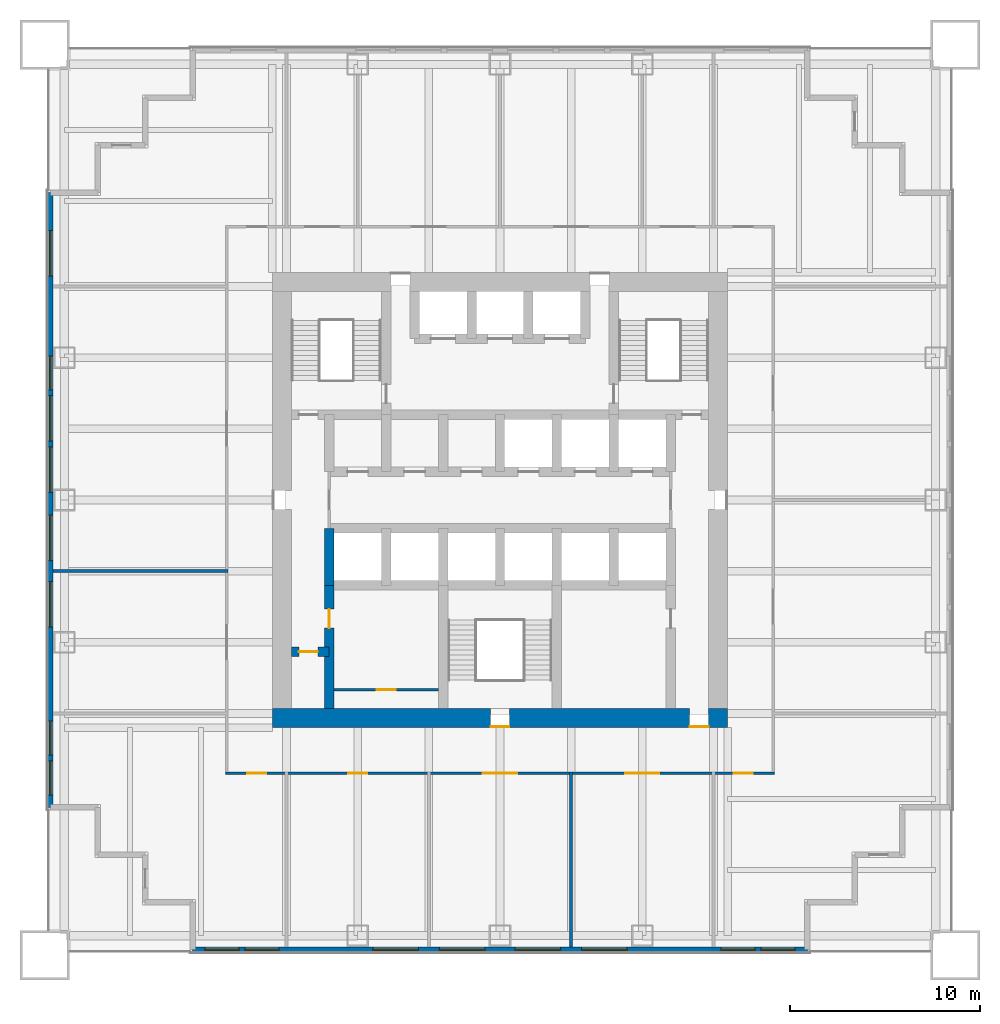
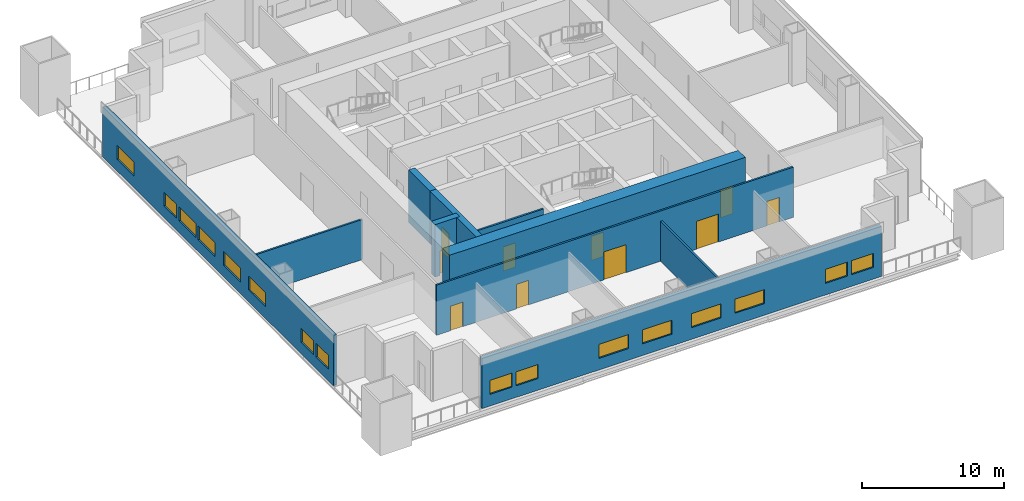
# One storey, part 2 of 6: 16 windows, 10 doors, 10 walls, 26 openings.
"""IFC4 building model written with IfcOpenShell, lengths in metres."""

from ifc_helpers import new_model, si_unit, direction, frame, frame_2d, origin, place, context, subcontext, project, spatial, rectangle, extrude, material, layer, layer_set, type_object, element, fill, save


model = new_model("IFC4")

# Units and contexts
model_context = context("Model", 3, precision=1e-05, world=origin(), true_north=direction((0.0, 1.0)))
body_context = subcontext(model_context, "Body", "Model", "MODEL_VIEW")
ifc_project = project(units=[si_unit("LENGTHUNIT", "METRE"), si_unit("AREAUNIT", "SQUARE_METRE"), si_unit("VOLUMEUNIT", "CUBIC_METRE"), si_unit("PLANEANGLEUNIT", "RADIAN"), si_unit("MASSUNIT", "GRAM", prefix="KILO")], contexts=[model_context])

# Site, building, storey
site_placement = place(None, origin())
site = spatial("IfcSite", under=ifc_project, at=site_placement, CompositionType="ELEMENT")
building_placement = place(site_placement, origin())
building = spatial("IfcBuilding", under=site, at=building_placement, Name="Tarangal Relay Tower", CompositionType="ELEMENT")
storey_placement = place(building_placement, frame((0.0, 0.0, 113.39990234375)))
storey = spatial("IfcBuildingStorey", under=building, at=storey_placement, Name="L22", CompositionType="ELEMENT", Elevation=113.39990234375)

# Wall, opening, door
ifc_material_1 = material(Name="Concrete fc' 60 MPa", Category="concrete")
ifc_layer_1 = layer(ifc_material_1, 0.5)
ifc_layer_set_1 = layer_set([ifc_layer_1], Name="Core inner wall 500")
wall_type_1 = type_object("IfcWallType", Name="Core inner wall 500", PredefinedType="SHEAR", material=ifc_layer_set_1)
wall_1_placement = place(storey_placement, frame((-11.0, -8.0, 0.0), z_axis=(0.0, 0.0, 1.0), x_axis=(1.0, 0.0, 0.0)))
wall_1 = element("IfcWall", 1, at=wall_1_placement, inside=storey, type_object=wall_type_1, Name="Core wall YM8 L22", PredefinedType="SHEAR", context=body_context, shape_type="SweptSolid", body=[
    extrude(rectangle(XDim=2.0, YDim=0.5, at=frame_2d((1.0, 0.0))), origin(), (0.0, 0.0, 1.0), 4.5),
])
opening_1_placement = place(wall_1_placement, frame((0.39990234375, 0.0, 0.0)))
opening_1 = element("IfcOpeningElement", 2, at=opening_1_placement, cuts=wall_1, Name="Opening D1", PredefinedType="OPENING", context=body_context, shape_type="SweptSolid", body=[
    extrude(rectangle(XDim=1.0, YDim=2.10009765625, at=frame_2d((0.5, 1.050048828125))), frame((0.0, 0.260009765625, 0.0), z_axis=(0.0, -1.0, 0.0), x_axis=(1.0, 0.0, 0.0)), (0.0, 0.0, 1.0), 0.52001953125),
])
ifc_material_2 = material(Name="Hardwood door", Category="wood")
door_type_1 = type_object("IfcDoorType", Name="WC door 1000 x 2100", OperationType="SINGLE_SWING_LEFT", PredefinedType="DOOR", material=ifc_material_2)
door_1_placement = place(opening_1_placement, origin())
door_1 = element("IfcDoor", 3, at=door_1_placement, inside=storey, type_object=door_type_1, Name="Accessible WC door L22", OperationType="SINGLE_SWING_LEFT", OverallHeight=2.10009765625, OverallWidth=1.0, PredefinedType="DOOR", context=body_context, shape_type="SweptSolid", body=[
    extrude(rectangle(XDim=1.0, YDim=2.10009765625, at=frame_2d((0.5, 1.050048828125))), frame((0.0, 0.02490234375, 0.0), z_axis=(0.0, -1.0, 0.0), x_axis=(1.0, 0.0, 0.0)), (0.0, 0.0, 1.0), 0.050048828125),
])
fill(opening_1, door_1)

# Wall
wall_2_placement = place(storey_placement, frame((-9.0, -4.5, 0.0), z_axis=(0.0, 0.0, 1.0), x_axis=(0.0, 1.0, 0.0)))
element("IfcWall", 4, at=wall_2_placement, inside=storey, type_object=wall_type_1, Name="Core wall XM9S L22", PredefinedType="SHEAR", context=body_context, shape_type="SweptSolid", body=[
    extrude(rectangle(XDim=3.0, YDim=0.5, at=frame_2d((1.5, 0.0))), origin(), (0.0, 0.0, 1.0), 4.5),
])

# Wall, opening, door
wall_3_placement = place(storey_placement, frame((-9.0, -11.0, 0.0), z_axis=(0.0, 0.0, 1.0), x_axis=(0.0, 1.0, 0.0)))
wall_3 = element("IfcWall", 5, at=wall_3_placement, inside=storey, type_object=wall_type_1, Name="Core wall XM9W L22", PredefinedType="SHEAR", context=body_context, shape_type="SweptSolid", body=[
    extrude(rectangle(XDim=6.5, YDim=0.5, at=frame_2d((3.25, 0.0))), origin(), (0.0, 0.0, 1.0), 4.5),
])
opening_2_placement = place(wall_3_placement, frame((4.25, 0.0, 0.0)))
opening_2 = element("IfcOpeningElement", 6, at=opening_2_placement, cuts=wall_3, Name="Opening D1", PredefinedType="OPENING", context=body_context, shape_type="SweptSolid", body=[
    extrude(rectangle(XDim=1.0, YDim=2.10009765625, at=frame_2d((0.5, 1.050048828125))), frame((0.0, 0.260009765625, 0.0), z_axis=(0.0, -1.0, 0.0), x_axis=(1.0, 0.0, 0.0)), (0.0, 0.0, 1.0), 0.52001953125),
])
door_2_placement = place(opening_2_placement, origin())
door_2 = element("IfcDoor", 7, at=door_2_placement, inside=storey, type_object=door_type_1, Name="Male WC door L22", OperationType="SINGLE_SWING_LEFT", OverallHeight=2.10009765625, OverallWidth=1.0, PredefinedType="DOOR", context=body_context, shape_type="SweptSolid", body=[
    extrude(rectangle(XDim=1.0, YDim=2.10009765625, at=frame_2d((0.5, 1.050048828125))), frame((0.0, 0.02490234375, 0.0), z_axis=(0.0, -1.0, 0.0), x_axis=(1.0, 0.0, 0.0)), (0.0, 0.0, 1.0), 0.050048828125),
])
fill(opening_2, door_2)

# Wall, openings, doors
ifc_layer_2 = layer(ifc_material_1, 1.0)
ifc_layer_set_2 = layer_set([ifc_layer_2], Name="Core wall 1000")
wall_type_2 = type_object("IfcWallType", Name="Core wall 1000", PredefinedType="SHEAR", material=ifc_layer_set_2)
wall_4_placement = place(storey_placement, frame((12.0, -11.5, 0.0), z_axis=(0.0, 0.0, 1.0), x_axis=(-1.0, 0.0, 0.0)))
wall_4 = element("IfcWall", 8, at=wall_4_placement, inside=storey, type_object=wall_type_2, Name="Core wall S L22", PredefinedType="SHEAR", context=body_context, shape_type="SweptSolid", body=[
    extrude(rectangle(XDim=24.0, YDim=1.0, at=frame_2d((12.0, 0.0))), origin(), (0.0, 0.0, 1.0), 4.5),
])
opening_3_placement = place(wall_4_placement, frame((11.5, 0.0, 0.0)))
opening_3 = element("IfcOpeningElement", 9, at=opening_3_placement, cuts=wall_4, Name="Opening FD1", PredefinedType="OPENING", context=body_context, shape_type="SweptSolid", body=[
    extrude(rectangle(XDim=1.0, YDim=2.10009765625, at=frame_2d((0.5, 1.050048828125))), frame((0.0, 0.510009765625, 0.0), z_axis=(0.0, -1.0, 0.0), x_axis=(1.0, 0.0, 0.0)), (0.0, 0.0, 1.0), 1.02001953125),
])
opening_4_placement = place(wall_4_placement, frame((1.0, 0.0, 0.0)))
opening_4 = element("IfcOpeningElement", 10, at=opening_4_placement, cuts=wall_4, Name="Opening FD3", PredefinedType="OPENING", context=body_context, shape_type="SweptSolid", body=[
    extrude(rectangle(XDim=1.0, YDim=2.39990234375, at=frame_2d((0.5, 1.199951171875))), frame((0.0, 0.510009765625, 0.0), z_axis=(0.0, -1.0, 0.0), x_axis=(1.0, 0.0, 0.0)), (0.0, 0.0, 1.0), 1.02001953125),
])
ifc_material_3 = material(Name="Steel door with hardwood frame", Category="steel")
door_type_2 = type_object("IfcDoorType", Name="Fire door 1000 x 2100", OperationType="SINGLE_SWING_LEFT", PredefinedType="DOOR", material=ifc_material_3)
door_3_placement = place(opening_3_placement, origin())
door_3 = element("IfcDoor", 11, at=door_3_placement, inside=storey, type_object=door_type_2, Name="Stair ST-C door L22", OperationType="SINGLE_SWING_LEFT", OverallHeight=2.10009765625, OverallWidth=1.0, PredefinedType="DOOR", context=body_context, shape_type="SweptSolid", body=[
    extrude(rectangle(XDim=1.0, YDim=2.10009765625, at=frame_2d((0.5, 1.050048828125))), frame((0.0, 0.48486328125, 0.0), z_axis=(0.0, -1.0, 0.0), x_axis=(1.0, 0.0, 0.0)), (0.0, 0.0, 1.0), 0.050048828125),
])
fill(opening_3, door_3)
door_type_3 = type_object("IfcDoorType", Name="Fire door 1000 x 2400 core entry", OperationType="SINGLE_SWING_RIGHT", PredefinedType="DOOR", material=ifc_material_3)
door_4_placement = place(opening_4_placement, origin())
door_4 = element("IfcDoor", 12, at=door_4_placement, inside=storey, type_object=door_type_3, Name="Core entry door south east L22", OperationType="SINGLE_SWING_RIGHT", OverallHeight=2.39990234375, OverallWidth=1.0, PredefinedType="DOOR", context=body_context, shape_type="SweptSolid", body=[
    extrude(rectangle(XDim=1.0, YDim=2.39990234375, at=frame_2d((0.5, 1.199951171875))), frame((0.0, 0.48486328125, 0.0), z_axis=(0.0, -1.0, 0.0), x_axis=(1.0, 0.0, 0.0)), (0.0, 0.0, 1.0), 0.050048828125),
])
fill(opening_4, door_4)

# Wall, openings, windows
ifc_material_4 = material(Name="Insulated precast concrete fc' 40 MPa", Category="concrete")
ifc_layer_3 = layer(ifc_material_4, 0.300048828125)
ifc_layer_set_3 = layer_set([ifc_layer_3], Name="Insulated precast concrete fc' 40 MPa")
wall_type_3 = type_object("IfcWallType", Name="Facade wall precast 300", PredefinedType="SOLIDWALL", material=ifc_layer_set_3)
wall_5_placement = place(storey_placement, frame((16.199951171875, -23.699951171875, 0.0), z_axis=(0.0, 0.0, 1.0), x_axis=(-1.0, 0.0, 0.0)))
wall_5 = element("IfcWall", 13, at=wall_5_placement, inside=storey, type_object=wall_type_3, Name="Facade wall S facade L22", PredefinedType="SOLIDWALL", context=body_context, shape_type="SweptSolid", body=[
    extrude(rectangle(XDim=32.39990234375, YDim=0.300048828125, at=frame_2d((16.199951171875, 0.0))), origin(), (0.0, 0.0, 1.0), 4.300048828125),
])
opening_5_placement = place(wall_5_placement, frame((0.64990234375, 0.0, 1.0)))
opening_5 = element("IfcOpeningElement", 14, at=opening_5_placement, cuts=wall_5, Name="Opening WN5", PredefinedType="OPENING", context=body_context, shape_type="SweptSolid", body=[
    extrude(rectangle(XDim=1.800048828125, YDim=1.199951171875, at=frame_2d((0.89990234375, 0.60009765625))), frame((0.0, 0.159912109375, 0.0), z_axis=(0.0, -1.0, 0.0), x_axis=(1.0, 0.0, 0.0)), (0.0, 0.0, 1.0), 0.320068359375),
])
opening_6_placement = place(wall_5_placement, frame((2.75, 0.0, 1.0)))
opening_6 = element("IfcOpeningElement", 15, at=opening_6_placement, cuts=wall_5, Name="Opening WN5", PredefinedType="OPENING", context=body_context, shape_type="SweptSolid", body=[
    extrude(rectangle(XDim=1.800048828125, YDim=1.199951171875, at=frame_2d((0.89990234375, 0.60009765625))), frame((0.0, 0.159912109375, 0.0), z_axis=(0.0, -1.0, 0.0), x_axis=(1.0, 0.0, 0.0)), (0.0, 0.0, 1.0), 0.320068359375),
])
opening_7_placement = place(wall_5_placement, frame((9.5, 0.0, 1.0)))
opening_7 = element("IfcOpeningElement", 16, at=opening_7_placement, cuts=wall_5, Name="Opening WN1", PredefinedType="OPENING", context=body_context, shape_type="SweptSolid", body=[
    extrude(rectangle(XDim=2.39990234375, YDim=1.199951171875, at=frame_2d((1.199951171875, 0.60009765625))), frame((0.0, 0.159912109375, 0.0), z_axis=(0.0, -1.0, 0.0), x_axis=(1.0, 0.0, 0.0)), (0.0, 0.0, 1.0), 0.320068359375),
])
opening_8_placement = place(wall_5_placement, frame((13.0, 0.0, 1.0)))
opening_8 = element("IfcOpeningElement", 17, at=opening_8_placement, cuts=wall_5, Name="Opening WN1", PredefinedType="OPENING", context=body_context, shape_type="SweptSolid", body=[
    extrude(rectangle(XDim=2.39990234375, YDim=1.199951171875, at=frame_2d((1.199951171875, 0.60009765625))), frame((0.0, 0.159912109375, 0.0), z_axis=(0.0, -1.0, 0.0), x_axis=(1.0, 0.0, 0.0)), (0.0, 0.0, 1.0), 0.320068359375),
])
opening_9_placement = place(wall_5_placement, frame((17.0, 0.0, 1.0)))
opening_9 = element("IfcOpeningElement", 18, at=opening_9_placement, cuts=wall_5, Name="Opening WN1", PredefinedType="OPENING", context=body_context, shape_type="SweptSolid", body=[
    extrude(rectangle(XDim=2.39990234375, YDim=1.199951171875, at=frame_2d((1.199951171875, 0.60009765625))), frame((0.0, 0.159912109375, 0.0), z_axis=(0.0, -1.0, 0.0), x_axis=(1.0, 0.0, 0.0)), (0.0, 0.0, 1.0), 0.320068359375),
])
opening_10_placement = place(wall_5_placement, frame((20.5, 0.0, 1.0)))
opening_10 = element("IfcOpeningElement", 19, at=opening_10_placement, cuts=wall_5, Name="Opening WN1", PredefinedType="OPENING", context=body_context, shape_type="SweptSolid", body=[
    extrude(rectangle(XDim=2.39990234375, YDim=1.199951171875, at=frame_2d((1.199951171875, 0.60009765625))), frame((0.0, 0.159912109375, 0.0), z_axis=(0.0, -1.0, 0.0), x_axis=(1.0, 0.0, 0.0)), (0.0, 0.0, 1.0), 0.320068359375),
])
opening_11_placement = place(wall_5_placement, frame((27.85009765625, 0.0, 1.0)))
opening_11 = element("IfcOpeningElement", 20, at=opening_11_placement, cuts=wall_5, Name="Opening WN5", PredefinedType="OPENING", context=body_context, shape_type="SweptSolid", body=[
    extrude(rectangle(XDim=1.800048828125, YDim=1.199951171875, at=frame_2d((0.89990234375, 0.60009765625))), frame((0.0, 0.159912109375, 0.0), z_axis=(0.0, -1.0, 0.0), x_axis=(1.0, 0.0, 0.0)), (0.0, 0.0, 1.0), 0.320068359375),
])
opening_12_placement = place(wall_5_placement, frame((29.949951171875, 0.0, 1.0)))
opening_12 = element("IfcOpeningElement", 21, at=opening_12_placement, cuts=wall_5, Name="Opening WN5", PredefinedType="OPENING", context=body_context, shape_type="SweptSolid", body=[
    extrude(rectangle(XDim=1.800048828125, YDim=1.199951171875, at=frame_2d((0.89990234375, 0.60009765625))), frame((0.0, 0.159912109375, 0.0), z_axis=(0.0, -1.0, 0.0), x_axis=(1.0, 0.0, 0.0)), (0.0, 0.0, 1.0), 0.320068359375),
])
ifc_material_5 = material(Name="Dark tinted double glazing in black aluminium frame", Category="aluminium")
window_type_1 = type_object("IfcWindowType", Name="Ribbon window 1800 x 1200", PartitioningType="SINGLE_PANEL", PredefinedType="WINDOW", material=ifc_material_5)
window_1_placement = place(opening_5_placement, origin())
window_1 = element("IfcWindow", 22, at=window_1_placement, inside=storey, type_object=window_type_1, Name="Ribbon window WN5 S facade L22", OverallHeight=1.199951171875, OverallWidth=1.800048828125, PartitioningType="SINGLE_PANEL", PredefinedType="WINDOW", context=body_context, shape_type="SweptSolid", body=[
    extrude(rectangle(XDim=1.800048828125, YDim=1.199951171875, at=frame_2d((0.89990234375, 0.60009765625))), frame((0.0, 0.030029296875, 0.0), z_axis=(0.0, -1.0, 0.0), x_axis=(1.0, 0.0, 0.0)), (0.0, 0.0, 1.0), 0.06005859375),
])
fill(opening_5, window_1)
window_2_placement = place(opening_6_placement, origin())
window_2 = element("IfcWindow", 23, at=window_2_placement, inside=storey, type_object=window_type_1, Name="Ribbon window WN5 S facade L22", OverallHeight=1.199951171875, OverallWidth=1.800048828125, PartitioningType="SINGLE_PANEL", PredefinedType="WINDOW", context=body_context, shape_type="SweptSolid", body=[
    extrude(rectangle(XDim=1.800048828125, YDim=1.199951171875, at=frame_2d((0.89990234375, 0.60009765625))), frame((0.0, 0.030029296875, 0.0), z_axis=(0.0, -1.0, 0.0), x_axis=(1.0, 0.0, 0.0)), (0.0, 0.0, 1.0), 0.06005859375),
])
fill(opening_6, window_2)
window_3_placement = place(opening_11_placement, origin())
window_3 = element("IfcWindow", 24, at=window_3_placement, inside=storey, type_object=window_type_1, Name="Ribbon window WN5 S facade L22", OverallHeight=1.199951171875, OverallWidth=1.800048828125, PartitioningType="SINGLE_PANEL", PredefinedType="WINDOW", context=body_context, shape_type="SweptSolid", body=[
    extrude(rectangle(XDim=1.800048828125, YDim=1.199951171875, at=frame_2d((0.89990234375, 0.60009765625))), frame((0.0, 0.030029296875, 0.0), z_axis=(0.0, -1.0, 0.0), x_axis=(1.0, 0.0, 0.0)), (0.0, 0.0, 1.0), 0.06005859375),
])
fill(opening_11, window_3)
window_4_placement = place(opening_12_placement, origin())
window_4 = element("IfcWindow", 25, at=window_4_placement, inside=storey, type_object=window_type_1, Name="Ribbon window WN5 S facade L22", OverallHeight=1.199951171875, OverallWidth=1.800048828125, PartitioningType="SINGLE_PANEL", PredefinedType="WINDOW", context=body_context, shape_type="SweptSolid", body=[
    extrude(rectangle(XDim=1.800048828125, YDim=1.199951171875, at=frame_2d((0.89990234375, 0.60009765625))), frame((0.0, 0.030029296875, 0.0), z_axis=(0.0, -1.0, 0.0), x_axis=(1.0, 0.0, 0.0)), (0.0, 0.0, 1.0), 0.06005859375),
])
fill(opening_12, window_4)
window_type_2 = type_object("IfcWindowType", Name="Ribbon window 2400 x 1200", PartitioningType="SINGLE_PANEL", PredefinedType="WINDOW", material=ifc_material_5)
window_5_placement = place(opening_7_placement, origin())
window_5 = element("IfcWindow", 26, at=window_5_placement, inside=storey, type_object=window_type_2, Name="Ribbon window WN1 S facade L22", OverallHeight=1.199951171875, OverallWidth=2.39990234375, PartitioningType="SINGLE_PANEL", PredefinedType="WINDOW", context=body_context, shape_type="SweptSolid", body=[
    extrude(rectangle(XDim=2.39990234375, YDim=1.199951171875, at=frame_2d((1.199951171875, 0.60009765625))), frame((0.0, 0.030029296875, 0.0), z_axis=(0.0, -1.0, 0.0), x_axis=(1.0, 0.0, 0.0)), (0.0, 0.0, 1.0), 0.06005859375),
])
fill(opening_7, window_5)
window_6_placement = place(opening_8_placement, origin())
window_6 = element("IfcWindow", 27, at=window_6_placement, inside=storey, type_object=window_type_2, Name="Ribbon window WN1 S facade L22", OverallHeight=1.199951171875, OverallWidth=2.39990234375, PartitioningType="SINGLE_PANEL", PredefinedType="WINDOW", context=body_context, shape_type="SweptSolid", body=[
    extrude(rectangle(XDim=2.39990234375, YDim=1.199951171875, at=frame_2d((1.199951171875, 0.60009765625))), frame((0.0, 0.030029296875, 0.0), z_axis=(0.0, -1.0, 0.0), x_axis=(1.0, 0.0, 0.0)), (0.0, 0.0, 1.0), 0.06005859375),
])
fill(opening_8, window_6)
window_7_placement = place(opening_9_placement, origin())
window_7 = element("IfcWindow", 28, at=window_7_placement, inside=storey, type_object=window_type_2, Name="Ribbon window WN1 S facade L22", OverallHeight=1.199951171875, OverallWidth=2.39990234375, PartitioningType="SINGLE_PANEL", PredefinedType="WINDOW", context=body_context, shape_type="SweptSolid", body=[
    extrude(rectangle(XDim=2.39990234375, YDim=1.199951171875, at=frame_2d((1.199951171875, 0.60009765625))), frame((0.0, 0.030029296875, 0.0), z_axis=(0.0, -1.0, 0.0), x_axis=(1.0, 0.0, 0.0)), (0.0, 0.0, 1.0), 0.06005859375),
])
fill(opening_9, window_7)
window_8_placement = place(opening_10_placement, origin())
window_8 = element("IfcWindow", 29, at=window_8_placement, inside=storey, type_object=window_type_2, Name="Ribbon window WN1 S facade L22", OverallHeight=1.199951171875, OverallWidth=2.39990234375, PartitioningType="SINGLE_PANEL", PredefinedType="WINDOW", context=body_context, shape_type="SweptSolid", body=[
    extrude(rectangle(XDim=2.39990234375, YDim=1.199951171875, at=frame_2d((1.199951171875, 0.60009765625))), frame((0.0, 0.030029296875, 0.0), z_axis=(0.0, -1.0, 0.0), x_axis=(1.0, 0.0, 0.0)), (0.0, 0.0, 1.0), 0.06005859375),
])
fill(opening_10, window_8)

wall_6_placement = place(storey_placement, frame((-23.699951171875, -16.199951171875, 0.0), z_axis=(0.0, 0.0, 1.0), x_axis=(0.0, 1.0, 0.0)))
wall_6 = element("IfcWall", 30, at=wall_6_placement, inside=storey, type_object=wall_type_3, Name="Facade wall W facade L22", PredefinedType="SOLIDWALL", context=body_context, shape_type="SweptSolid", body=[
    extrude(rectangle(XDim=32.39990234375, YDim=0.300048828125, at=frame_2d((16.199951171875, 0.0))), origin(), (0.0, 0.0, 1.0), 4.300048828125),
])
opening_13_placement = place(wall_6_placement, frame((0.64990234375, 0.0, 1.0)))
opening_13 = element("IfcOpeningElement", 31, at=opening_13_placement, cuts=wall_6, Name="Opening WN5", PredefinedType="OPENING", context=body_context, shape_type="SweptSolid", body=[
    extrude(rectangle(XDim=1.800048828125, YDim=1.199951171875, at=frame_2d((0.89990234375, 0.60009765625))), frame((0.0, 0.159912109375, 0.0), z_axis=(0.0, -1.0, 0.0), x_axis=(1.0, 0.0, 0.0)), (0.0, 0.0, 1.0), 0.320068359375),
])
opening_14_placement = place(wall_6_placement, frame((2.75, 0.0, 1.0)))
opening_14 = element("IfcOpeningElement", 32, at=opening_14_placement, cuts=wall_6, Name="Opening WN5", PredefinedType="OPENING", context=body_context, shape_type="SweptSolid", body=[
    extrude(rectangle(XDim=1.800048828125, YDim=1.199951171875, at=frame_2d((0.89990234375, 0.60009765625))), frame((0.0, 0.159912109375, 0.0), z_axis=(0.0, -1.0, 0.0), x_axis=(1.0, 0.0, 0.0)), (0.0, 0.0, 1.0), 0.320068359375),
])
opening_15_placement = place(wall_6_placement, frame((9.5, 0.0, 1.0)))
opening_15 = element("IfcOpeningElement", 33, at=opening_15_placement, cuts=wall_6, Name="Opening WN1", PredefinedType="OPENING", context=body_context, shape_type="SweptSolid", body=[
    extrude(rectangle(XDim=2.39990234375, YDim=1.199951171875, at=frame_2d((1.199951171875, 0.60009765625))), frame((0.0, 0.159912109375, 0.0), z_axis=(0.0, -1.0, 0.0), x_axis=(1.0, 0.0, 0.0)), (0.0, 0.0, 1.0), 0.320068359375),
])
opening_16_placement = place(wall_6_placement, frame((13.0, 0.0, 1.0)))
opening_16 = element("IfcOpeningElement", 34, at=opening_16_placement, cuts=wall_6, Name="Opening WN1", PredefinedType="OPENING", context=body_context, shape_type="SweptSolid", body=[
    extrude(rectangle(XDim=2.39990234375, YDim=1.199951171875, at=frame_2d((1.199951171875, 0.60009765625))), frame((0.0, 0.159912109375, 0.0), z_axis=(0.0, -1.0, 0.0), x_axis=(1.0, 0.0, 0.0)), (0.0, 0.0, 1.0), 0.320068359375),
])
opening_17_placement = place(wall_6_placement, frame((16.60009765625, 0.0, 1.0)))
opening_17 = element("IfcOpeningElement", 35, at=opening_17_placement, cuts=wall_6, Name="Opening WN1", PredefinedType="OPENING", context=body_context, shape_type="SweptSolid", body=[
    extrude(rectangle(XDim=2.39990234375, YDim=1.199951171875, at=frame_2d((1.199951171875, 0.60009765625))), frame((0.0, 0.159912109375, 0.0), z_axis=(0.0, -1.0, 0.0), x_axis=(1.0, 0.0, 0.0)), (0.0, 0.0, 1.0), 0.320068359375),
])
opening_18_placement = place(wall_6_placement, frame((19.300048828125, 0.0, 1.0)))
opening_18 = element("IfcOpeningElement", 36, at=opening_18_placement, cuts=wall_6, Name="Opening WN1", PredefinedType="OPENING", context=body_context, shape_type="SweptSolid", body=[
    extrude(rectangle(XDim=2.39990234375, YDim=1.199951171875, at=frame_2d((1.199951171875, 0.60009765625))), frame((0.0, 0.159912109375, 0.0), z_axis=(0.0, -1.0, 0.0), x_axis=(1.0, 0.0, 0.0)), (0.0, 0.0, 1.0), 0.320068359375),
])
opening_19_placement = place(wall_6_placement, frame((22.0, 0.0, 1.0)))
opening_19 = element("IfcOpeningElement", 37, at=opening_19_placement, cuts=wall_6, Name="Opening WN5", PredefinedType="OPENING", context=body_context, shape_type="SweptSolid", body=[
    extrude(rectangle(XDim=1.800048828125, YDim=1.199951171875, at=frame_2d((0.89990234375, 0.60009765625))), frame((0.0, 0.159912109375, 0.0), z_axis=(0.0, -1.0, 0.0), x_axis=(1.0, 0.0, 0.0)), (0.0, 0.0, 1.0), 0.320068359375),
])
opening_20_placement = place(wall_6_placement, frame((28.0, 0.0, 1.0)))
opening_20 = element("IfcOpeningElement", 38, at=opening_20_placement, cuts=wall_6, Name="Opening WN1", PredefinedType="OPENING", context=body_context, shape_type="SweptSolid", body=[
    extrude(rectangle(XDim=2.39990234375, YDim=1.199951171875, at=frame_2d((1.199951171875, 0.60009765625))), frame((0.0, 0.159912109375, 0.0), z_axis=(0.0, -1.0, 0.0), x_axis=(1.0, 0.0, 0.0)), (0.0, 0.0, 1.0), 0.320068359375),
])
window_9_placement = place(opening_13_placement, origin())
window_9 = element("IfcWindow", 39, at=window_9_placement, inside=storey, type_object=window_type_1, Name="Ribbon window WN5 W facade L22", OverallHeight=1.199951171875, OverallWidth=1.800048828125, PartitioningType="SINGLE_PANEL", PredefinedType="WINDOW", context=body_context, shape_type="SweptSolid", body=[
    extrude(rectangle(XDim=1.800048828125, YDim=1.199951171875, at=frame_2d((0.89990234375, 0.60009765625))), frame((0.0, 0.030029296875, 0.0), z_axis=(0.0, -1.0, 0.0), x_axis=(1.0, 0.0, 0.0)), (0.0, 0.0, 1.0), 0.06005859375),
])
fill(opening_13, window_9)
window_10_placement = place(opening_14_placement, origin())
window_10 = element("IfcWindow", 40, at=window_10_placement, inside=storey, type_object=window_type_1, Name="Ribbon window WN5 W facade L22", OverallHeight=1.199951171875, OverallWidth=1.800048828125, PartitioningType="SINGLE_PANEL", PredefinedType="WINDOW", context=body_context, shape_type="SweptSolid", body=[
    extrude(rectangle(XDim=1.800048828125, YDim=1.199951171875, at=frame_2d((0.89990234375, 0.60009765625))), frame((0.0, 0.030029296875, 0.0), z_axis=(0.0, -1.0, 0.0), x_axis=(1.0, 0.0, 0.0)), (0.0, 0.0, 1.0), 0.06005859375),
])
fill(opening_14, window_10)
window_11_placement = place(opening_19_placement, origin())
window_11 = element("IfcWindow", 41, at=window_11_placement, inside=storey, type_object=window_type_1, Name="Ribbon window WN5 W facade L22", OverallHeight=1.199951171875, OverallWidth=1.800048828125, PartitioningType="SINGLE_PANEL", PredefinedType="WINDOW", context=body_context, shape_type="SweptSolid", body=[
    extrude(rectangle(XDim=1.800048828125, YDim=1.199951171875, at=frame_2d((0.89990234375, 0.60009765625))), frame((0.0, 0.030029296875, 0.0), z_axis=(0.0, -1.0, 0.0), x_axis=(1.0, 0.0, 0.0)), (0.0, 0.0, 1.0), 0.06005859375),
])
fill(opening_19, window_11)
window_12_placement = place(opening_15_placement, origin())
window_12 = element("IfcWindow", 42, at=window_12_placement, inside=storey, type_object=window_type_2, Name="Ribbon window WN1 W facade L22", OverallHeight=1.199951171875, OverallWidth=2.39990234375, PartitioningType="SINGLE_PANEL", PredefinedType="WINDOW", context=body_context, shape_type="SweptSolid", body=[
    extrude(rectangle(XDim=2.39990234375, YDim=1.199951171875, at=frame_2d((1.199951171875, 0.60009765625))), frame((0.0, 0.030029296875, 0.0), z_axis=(0.0, -1.0, 0.0), x_axis=(1.0, 0.0, 0.0)), (0.0, 0.0, 1.0), 0.06005859375),
])
fill(opening_15, window_12)
window_13_placement = place(opening_16_placement, origin())
window_13 = element("IfcWindow", 43, at=window_13_placement, inside=storey, type_object=window_type_2, Name="Ribbon window WN1 W facade L22", OverallHeight=1.199951171875, OverallWidth=2.39990234375, PartitioningType="SINGLE_PANEL", PredefinedType="WINDOW", context=body_context, shape_type="SweptSolid", body=[
    extrude(rectangle(XDim=2.39990234375, YDim=1.199951171875, at=frame_2d((1.199951171875, 0.60009765625))), frame((0.0, 0.030029296875, 0.0), z_axis=(0.0, -1.0, 0.0), x_axis=(1.0, 0.0, 0.0)), (0.0, 0.0, 1.0), 0.06005859375),
])
fill(opening_16, window_13)
window_14_placement = place(opening_17_placement, origin())
window_14 = element("IfcWindow", 44, at=window_14_placement, inside=storey, type_object=window_type_2, Name="Ribbon window WN1 W facade L22", OverallHeight=1.199951171875, OverallWidth=2.39990234375, PartitioningType="SINGLE_PANEL", PredefinedType="WINDOW", context=body_context, shape_type="SweptSolid", body=[
    extrude(rectangle(XDim=2.39990234375, YDim=1.199951171875, at=frame_2d((1.199951171875, 0.60009765625))), frame((0.0, 0.030029296875, 0.0), z_axis=(0.0, -1.0, 0.0), x_axis=(1.0, 0.0, 0.0)), (0.0, 0.0, 1.0), 0.06005859375),
])
fill(opening_17, window_14)
window_15_placement = place(opening_18_placement, origin())
window_15 = element("IfcWindow", 45, at=window_15_placement, inside=storey, type_object=window_type_2, Name="Ribbon window WN1 W facade L22", OverallHeight=1.199951171875, OverallWidth=2.39990234375, PartitioningType="SINGLE_PANEL", PredefinedType="WINDOW", context=body_context, shape_type="SweptSolid", body=[
    extrude(rectangle(XDim=2.39990234375, YDim=1.199951171875, at=frame_2d((1.199951171875, 0.60009765625))), frame((0.0, 0.030029296875, 0.0), z_axis=(0.0, -1.0, 0.0), x_axis=(1.0, 0.0, 0.0)), (0.0, 0.0, 1.0), 0.06005859375),
])
fill(opening_18, window_15)
window_16_placement = place(opening_20_placement, origin())
window_16 = element("IfcWindow", 46, at=window_16_placement, inside=storey, type_object=window_type_2, Name="Ribbon window WN1 W facade L22", OverallHeight=1.199951171875, OverallWidth=2.39990234375, PartitioningType="SINGLE_PANEL", PredefinedType="WINDOW", context=body_context, shape_type="SweptSolid", body=[
    extrude(rectangle(XDim=2.39990234375, YDim=1.199951171875, at=frame_2d((1.199951171875, 0.60009765625))), frame((0.0, 0.030029296875, 0.0), z_axis=(0.0, -1.0, 0.0), x_axis=(1.0, 0.0, 0.0)), (0.0, 0.0, 1.0), 0.06005859375),
])
fill(opening_20, window_16)

# Wall, openings, doors
ifc_material_6 = material(Name="Gypsum board on steel studs", Category="steel")
ifc_layer_4 = layer(ifc_material_6, 0.14990234375)
ifc_layer_set_4 = layer_set([ifc_layer_4], Name="Partition 150")
wall_type_4 = type_object("IfcWallType", Name="Partition 150", PredefinedType="PARTITIONING", material=ifc_layer_set_4)
wall_7_placement = place(storey_placement, frame((-14.47509765625, -14.39990234375, 0.0), z_axis=(0.0, 0.0, 1.0), x_axis=(1.0, 0.0, 0.0)))
wall_7 = element("IfcWall", 47, at=wall_7_placement, inside=storey, type_object=wall_type_4, Name="Partition PT1 L22", PredefinedType="PARTITIONING", context=body_context, shape_type="SweptSolid", body=[
    extrude(rectangle(XDim=28.9501953125, YDim=0.14990234375, at=frame_2d((14.47509765625, 0.0))), origin(), (0.0, 0.0, 1.0), 4.300048828125),
])
opening_21_placement = place(wall_7_placement, frame((21.074951171875, 0.0, 0.0)))
opening_21 = element("IfcOpeningElement", 48, at=opening_21_placement, cuts=wall_7, Name="Opening DD1", PredefinedType="OPENING", context=body_context, shape_type="SweptSolid", body=[
    extrude(rectangle(XDim=1.800048828125, YDim=2.39990234375, at=frame_2d((0.89990234375, 1.199951171875))), frame((0.0, 0.0849609375, 0.0), z_axis=(0.0, -1.0, 0.0), x_axis=(1.0, 0.0, 0.0)), (0.0, 0.0, 1.0), 0.169921875),
])
opening_22_placement = place(wall_7_placement, frame((13.574951171875, 0.0, 0.0)))
opening_22 = element("IfcOpeningElement", 49, at=opening_22_placement, cuts=wall_7, Name="Opening DD1", PredefinedType="OPENING", context=body_context, shape_type="SweptSolid", body=[
    extrude(rectangle(XDim=1.800048828125, YDim=2.39990234375, at=frame_2d((0.89990234375, 1.199951171875))), frame((0.0, 0.0849609375, 0.0), z_axis=(0.0, -1.0, 0.0), x_axis=(1.0, 0.0, 0.0)), (0.0, 0.0, 1.0), 0.169921875),
])
opening_23_placement = place(wall_7_placement, frame((6.47509765625, 0.0, 0.0)))
opening_23 = element("IfcOpeningElement", 50, at=opening_23_placement, cuts=wall_7, Name="Opening D2", PredefinedType="OPENING", context=body_context, shape_type="SweptSolid", body=[
    extrude(rectangle(XDim=1.0, YDim=2.10009765625, at=frame_2d((0.5, 1.050048828125))), frame((0.0, 0.0849609375, 0.0), z_axis=(0.0, -1.0, 0.0), x_axis=(1.0, 0.0, 0.0)), (0.0, 0.0, 1.0), 0.169921875),
])
opening_24_placement = place(wall_7_placement, frame((26.800048828125, 0.0, 0.0)))
opening_24 = element("IfcOpeningElement", 51, at=opening_24_placement, cuts=wall_7, Name="Opening D2", PredefinedType="OPENING", context=body_context, shape_type="SweptSolid", body=[
    extrude(rectangle(XDim=1.0, YDim=2.10009765625, at=frame_2d((0.5, 1.050048828125))), frame((0.0, 0.0849609375, 0.0), z_axis=(0.0, -1.0, 0.0), x_axis=(1.0, 0.0, 0.0)), (0.0, 0.0, 1.0), 0.169921875),
])
opening_25_placement = place(wall_7_placement, frame((1.14990234375, 0.0, 0.0)))
opening_25 = element("IfcOpeningElement", 52, at=opening_25_placement, cuts=wall_7, Name="Opening D2", PredefinedType="OPENING", context=body_context, shape_type="SweptSolid", body=[
    extrude(rectangle(XDim=1.0, YDim=2.10009765625, at=frame_2d((0.5, 1.050048828125))), frame((0.0, 0.0849609375, 0.0), z_axis=(0.0, -1.0, 0.0), x_axis=(1.0, 0.0, 0.0)), (0.0, 0.0, 1.0), 0.169921875),
])
door_type_4 = type_object("IfcDoorType", Name="Door 1000 x 2100", OperationType="SINGLE_SWING_LEFT", PredefinedType="DOOR", material=ifc_material_2)
door_5_placement = place(opening_23_placement, origin())
door_5 = element("IfcDoor", 53, at=door_5_placement, inside=storey, type_object=door_type_4, Name="Door D2 to carrier staff office L22-10", OperationType="SINGLE_SWING_LEFT", OverallHeight=2.10009765625, OverallWidth=1.0, PredefinedType="DOOR", context=body_context, shape_type="SweptSolid", body=[
    extrude(rectangle(XDim=1.0, YDim=2.10009765625, at=frame_2d((0.5, 1.050048828125))), frame((0.0, 0.02490234375, 0.0), z_axis=(0.0, -1.0, 0.0), x_axis=(1.0, 0.0, 0.0)), (0.0, 0.0, 1.0), 0.050048828125),
])
fill(opening_23, door_5)
door_6_placement = place(opening_24_placement, origin())
door_6 = element("IfcDoor", 54, at=door_6_placement, inside=storey, type_object=door_type_4, Name="Door D2 to test lab L22-14", OperationType="SINGLE_SWING_LEFT", OverallHeight=2.10009765625, OverallWidth=1.0, PredefinedType="DOOR", context=body_context, shape_type="SweptSolid", body=[
    extrude(rectangle(XDim=1.0, YDim=2.10009765625, at=frame_2d((0.5, 1.050048828125))), frame((0.0, 0.02490234375, 0.0), z_axis=(0.0, -1.0, 0.0), x_axis=(1.0, 0.0, 0.0)), (0.0, 0.0, 1.0), 0.050048828125),
])
fill(opening_24, door_6)
door_7_placement = place(opening_25_placement, origin())
door_7 = element("IfcDoor", 55, at=door_7_placement, inside=storey, type_object=door_type_4, Name="Door D2 to maintenance workshop L22-15", OperationType="SINGLE_SWING_LEFT", OverallHeight=2.10009765625, OverallWidth=1.0, PredefinedType="DOOR", context=body_context, shape_type="SweptSolid", body=[
    extrude(rectangle(XDim=1.0, YDim=2.10009765625, at=frame_2d((0.5, 1.050048828125))), frame((0.0, 0.02490234375, 0.0), z_axis=(0.0, -1.0, 0.0), x_axis=(1.0, 0.0, 0.0)), (0.0, 0.0, 1.0), 0.050048828125),
])
fill(opening_25, door_7)
door_type_5 = type_object("IfcDoorType", Name="Equipment double door 1800 x 2400", OperationType="DOUBLE_DOOR_SINGLE_SWING", PredefinedType="DOOR", material=ifc_material_3)
door_8_placement = place(opening_21_placement, origin())
door_8 = element("IfcDoor", 56, at=door_8_placement, inside=storey, type_object=door_type_5, Name="Door DD1 to rectifier and battery room L22-08", OperationType="DOUBLE_DOOR_SINGLE_SWING", OverallHeight=2.39990234375, OverallWidth=1.800048828125, PredefinedType="DOOR", context=body_context, shape_type="SweptSolid", body=[
    extrude(rectangle(XDim=1.800048828125, YDim=2.39990234375, at=frame_2d((0.89990234375, 1.199951171875))), frame((0.0, 0.02490234375, 0.0), z_axis=(0.0, -1.0, 0.0), x_axis=(1.0, 0.0, 0.0)), (0.0, 0.0, 1.0), 0.050048828125),
])
fill(opening_21, door_8)
door_9_placement = place(opening_22_placement, origin())
door_9 = element("IfcDoor", 57, at=door_9_placement, inside=storey, type_object=door_type_5, Name="Door DD1 to electrical room L22-09", OperationType="DOUBLE_DOOR_SINGLE_SWING", OverallHeight=2.39990234375, OverallWidth=1.800048828125, PredefinedType="DOOR", context=body_context, shape_type="SweptSolid", body=[
    extrude(rectangle(XDim=1.800048828125, YDim=2.39990234375, at=frame_2d((0.89990234375, 1.199951171875))), frame((0.0, 0.02490234375, 0.0), z_axis=(0.0, -1.0, 0.0), x_axis=(1.0, 0.0, 0.0)), (0.0, 0.0, 1.0), 0.050048828125),
])
fill(opening_22, door_9)

# Walls
for number, where, z_axis, x_axis, name in (
    (58, (-23.550048828125, -3.75, 0.0), (0.0, 0.0, 1.0), (1.0, 0.0, 0.0), "Partition PT1 L22"),
    (59, (3.75, -23.550048828125, 0.0), (0.0, 0.0, 1.0), (0.0, 1.0, 0.0), "Partition PT1 L22"),
):
    element("IfcWall", number, at=place(storey_placement, frame(where, z_axis=z_axis, x_axis=x_axis)), inside=storey, type_object=wall_type_4, Name=name, PredefinedType="PARTITIONING", context=body_context, shape_type="SweptSolid", body=[
        extrude(rectangle(XDim=9.22509765625, YDim=0.14990234375, at=frame_2d((4.612548828125, 0.0))), origin(), (0.0, 0.0, 1.0), 3.431396484375),
    ])

# Wall, opening, door
wall_8_placement = place(storey_placement, frame((-8.75, -10.0, 0.0), z_axis=(0.0, 0.0, 1.0), x_axis=(1.0, 0.0, 0.0)))
wall_8 = element("IfcWall", 60, at=wall_8_placement, inside=storey, type_object=wall_type_4, Name="Partition PT1 L22", PredefinedType="PARTITIONING", context=body_context, shape_type="SweptSolid", body=[
    extrude(rectangle(XDim=5.5, YDim=0.14990234375, at=frame_2d((2.75, 0.0))), origin(), (0.0, 0.0, 1.0), 4.25),
])
opening_26_placement = place(wall_8_placement, frame((2.25, 0.0, 0.0)))
opening_26 = element("IfcOpeningElement", 61, at=opening_26_placement, cuts=wall_8, Name="Opening D1", PredefinedType="OPENING", context=body_context, shape_type="SweptSolid", body=[
    extrude(rectangle(XDim=1.0, YDim=2.10009765625, at=frame_2d((0.5, 1.050048828125))), frame((0.0, 0.0849609375, 0.0), z_axis=(0.0, -1.0, 0.0), x_axis=(1.0, 0.0, 0.0)), (0.0, 0.0, 1.0), 0.169921875),
])
door_10_placement = place(opening_26_placement, origin())
door_10 = element("IfcDoor", 62, at=door_10_placement, inside=storey, type_object=door_type_1, Name="Door D1 to male shower room L22-C7B", OperationType="SINGLE_SWING_LEFT", OverallHeight=2.10009765625, OverallWidth=1.0, PredefinedType="DOOR", context=body_context, shape_type="SweptSolid", body=[
    extrude(rectangle(XDim=1.0, YDim=2.10009765625, at=frame_2d((0.5, 1.050048828125))), frame((0.0, 0.02490234375, 0.0), z_axis=(0.0, -1.0, 0.0), x_axis=(1.0, 0.0, 0.0)), (0.0, 0.0, 1.0), 0.050048828125),
])
fill(opening_26, door_10)

save(model, "model.ifc")
